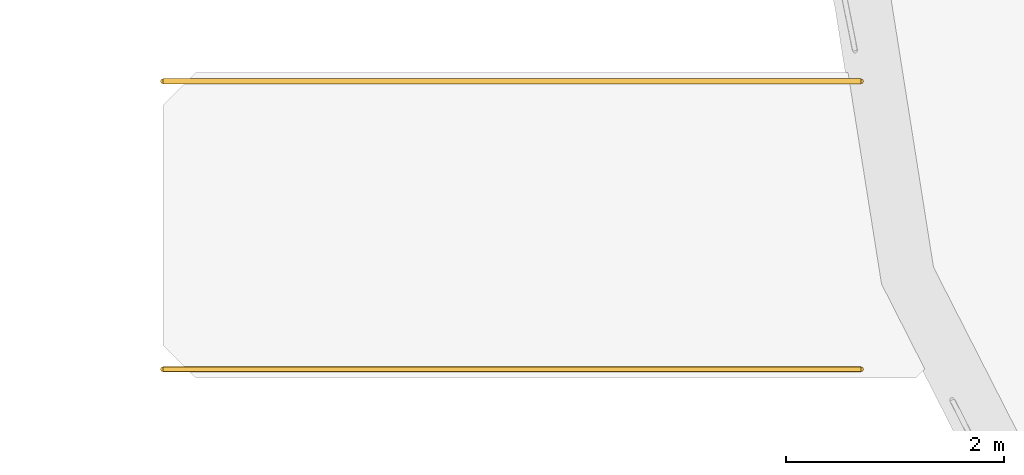
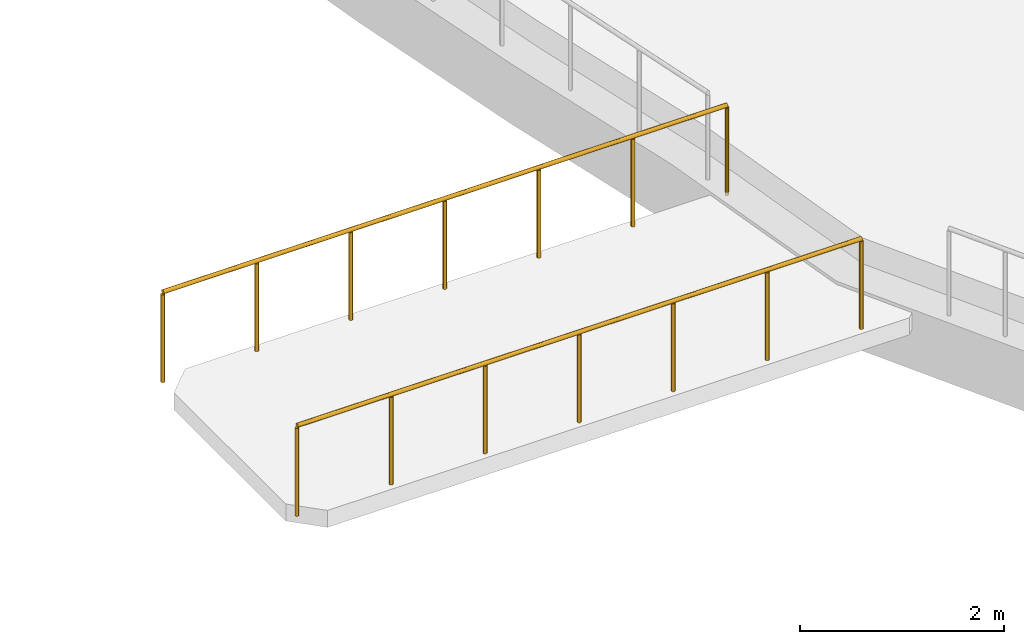
# One storey, part 96 of 105: 2 railings.
"""IFC4 building model written with IfcOpenShell, lengths in metres."""

from ifc_helpers import new_model, si_unit, direction, frame, origin, origin_2d, place, context, subcontext, project, spatial, circle, extrude, material, type_object, element, save


model = new_model("IFC4")

# Units and contexts
model_context = context("Model", 3, precision=1e-05, world=origin(), true_north=direction((0.0, 1.0)))
body_context = subcontext(model_context, "Body", "Model", "MODEL_VIEW")
ifc_project = project(units=[si_unit("LENGTHUNIT", "METRE"), si_unit("AREAUNIT", "SQUARE_METRE"), si_unit("VOLUMEUNIT", "CUBIC_METRE"), si_unit("PLANEANGLEUNIT", "RADIAN"), si_unit("MASSUNIT", "GRAM", prefix="KILO")], contexts=[model_context])

# Site, building, storey
site_placement = place(None, origin())
site = spatial("IfcSite", under=ifc_project, at=site_placement, CompositionType="ELEMENT")
building_placement = place(site_placement, origin())
building = spatial("IfcBuilding", under=site, at=building_placement, Name="Corveleigh Park Community Centre", CompositionType="ELEMENT")
storey_placement = place(building_placement, frame((0.0, 0.0, 8.699951171875)))
storey = spatial("IfcBuildingStorey", under=building, at=storey_placement, Name="L02", CompositionType="ELEMENT", Elevation=8.699951171875)

# Railings
ifc_material = material(Name="Stainless steel 316 balustrade", Category="steel")
railing_type = type_object("IfcRailingType", Name="RLG-BAL-EXT-1100", PredefinedType="BALUSTRADE", material=ifc_material)
for number, where, name in (
    (1, (127.60009765625, 61.679931640625, 0.0), "Roof Promenade Bridge Guard RLG-PBRG-ET-S"),
    (2, (127.60009765625, 64.320068359375, 0.0), "Roof Promenade Bridge Guard RLG-PBRG-ET-N"),
):
    element("IfcRailing", number, at=place(storey_placement, frame(where)), inside=storey, type_object=railing_type, Name=name, PredefinedType="BALUSTRADE", context=body_context, shape_type="SweptSolid", body=[
        extrude(circle(Radius=0.02392578125, at=origin_2d()), frame((0.0, 0.0, 1.076171875), z_axis=(1.0, 0.0, 0.0), x_axis=(0.0, 1.0, 0.0)), (0.0, 0.0, 1.0), 6.39990234375),
        extrude(circle(Radius=0.02099609375, at=origin_2d()), origin(), (0.0, 0.0, 1.0), 1.052001953125),
        extrude(circle(Radius=0.02099609375, at=origin_2d()), frame((1.066650390625, 0.0, 0.0)), (0.0, 0.0, 1.0), 1.052001953125),
        extrude(circle(Radius=0.02099609375, at=origin_2d()), frame((2.13330078125, 0.0, 0.0)), (0.0, 0.0, 1.0), 1.052001953125),
        extrude(circle(Radius=0.02099609375, at=origin_2d()), frame((3.199951171875, 0.0, 0.0)), (0.0, 0.0, 1.0), 1.052001953125),
        extrude(circle(Radius=0.02099609375, at=origin_2d()), frame((4.2666015625, 0.0, 0.0)), (0.0, 0.0, 1.0), 1.052001953125),
        extrude(circle(Radius=0.02099609375, at=origin_2d()), frame((5.333251953125, 0.0, 0.0)), (0.0, 0.0, 1.0), 1.052001953125),
        extrude(circle(Radius=0.02099609375, at=origin_2d()), frame((6.39990234375, 0.0, 0.0)), (0.0, 0.0, 1.0), 1.052001953125),
    ])

save(model, "model.ifc")
